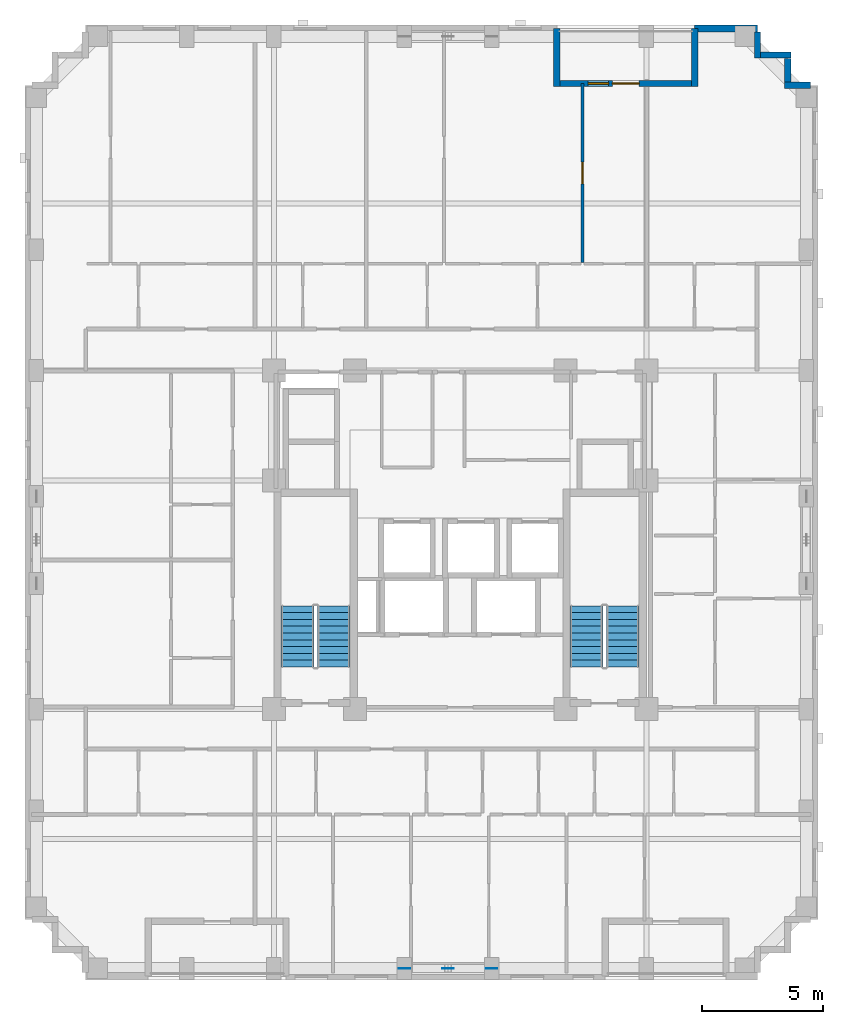
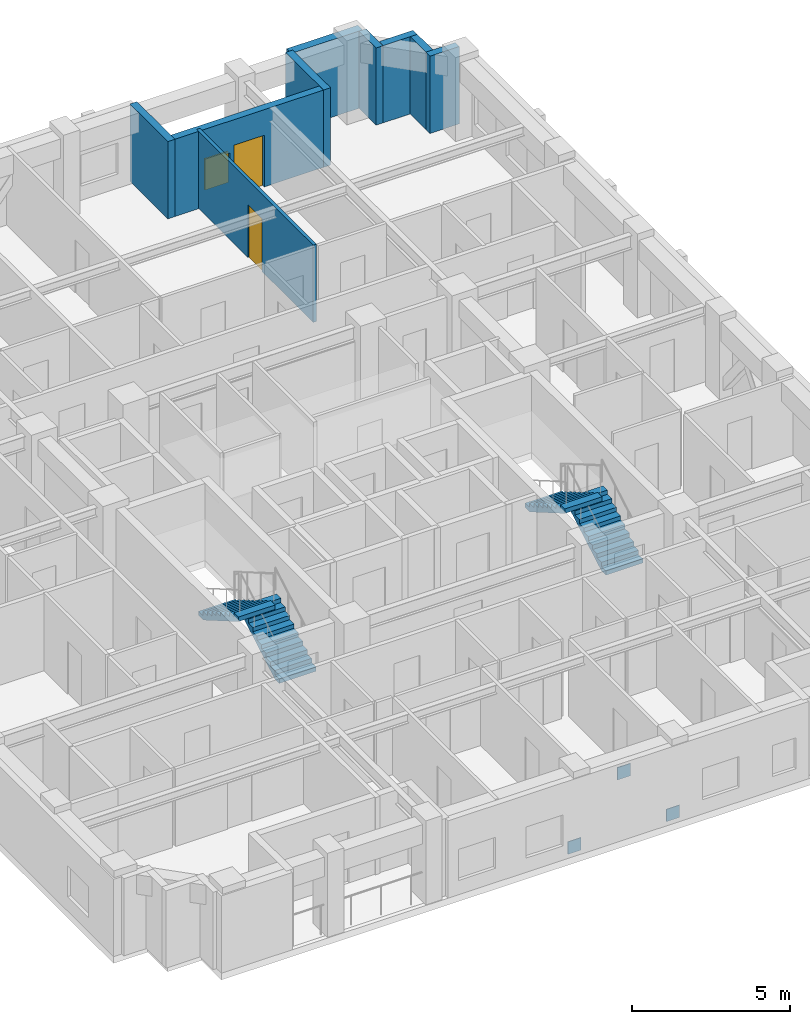
# One storey, part 8 of 11: 9 walls, 4 stair flights, 3 discrete accessories, 2 doors, 1 window, 3 openings, 2 elements without a shape of their own.
"""IFC4 building model written with IfcOpenShell, lengths in metres."""

from ifc_helpers import new_model, si_unit, derived_unit, direction, frame, frame_2d, origin, origin_2d, place, context, subcontext, project, spatial, polyline, rectangle, outline, extrude, material, layer, layer_set, type_object, element, fill, aggregate, save


model = new_model("IFC4")

# Units and contexts
model_context = context("Model", 3, precision=1e-05, world=origin(), true_north=direction((0.0, 1.0)))
body_context = subcontext(model_context, "Body", "Model", "MODEL_VIEW")
ifc_project = project(units=[si_unit("LENGTHUNIT", "METRE"), si_unit("AREAUNIT", "SQUARE_METRE"), si_unit("VOLUMEUNIT", "CUBIC_METRE"), si_unit("PLANEANGLEUNIT", "RADIAN"), si_unit("MASSUNIT", "GRAM", prefix="KILO"), derived_unit("THERMALTRANSMITTANCEUNIT", [(si_unit("MASSUNIT", "GRAM", prefix="KILO"), 1), (si_unit("TIMEUNIT", "SECOND"), -3), (si_unit("THERMODYNAMICTEMPERATUREUNIT", "KELVIN"), -1)])], contexts=[model_context])

# Site, building, storey
site_placement = place(None, origin())
site = spatial("IfcSite", under=ifc_project, at=site_placement, CompositionType="ELEMENT")
building_placement = place(site_placement, origin())
building = spatial("IfcBuilding", under=site, at=building_placement, Name="Korrvale Station Residences", CompositionType="ELEMENT")
storey_placement = place(building_placement, frame((0.0, 0.0, 147.14990234375)))
storey = spatial("IfcBuildingStorey", under=building, at=storey_placement, Name="L42", CompositionType="ELEMENT", Elevation=147.14990234375)

# Wall
ifc_material_1 = material(Name="Precast concrete C45/55", Category="concrete")
ifc_layer_1 = layer(ifc_material_1, 0.260009765625, Name="Precast concrete C45/55")
ifc_layer_set_1 = layer_set([ifc_layer_1], Name="Precast concrete C45/55")
wall_type_1 = type_object("IfcWallType", Name="WAL-EXT-LOG260", PredefinedType="SOLIDWALL", material=ifc_layer_set_1)
wall_1_placement = place(storey_placement, frame((29.5, 43.139892578125, 0.0), z_axis=(0.0, 0.0, 1.0), x_axis=(0.0, -1.0, 0.0)))
element("IfcWall", 1, at=wall_1_placement, inside=storey, type_object=wall_type_1, Name="L42 Recessed Loggia Wall BAL-L42-N1-L", PredefinedType="SOLIDWALL", context=body_context, shape_type="SweptSolid", body=[
    extrude(rectangle(XDim=2.39990234375, YDim=0.260009765625, at=frame_2d((1.199951171875, 0.0))), origin(), (0.0, 0.0, 1.0), 2.989990234375),
])

# Wall, openings, door, window
wall_2_placement = place(storey_placement, frame((29.634033203125, 40.8701171875, 0.0), z_axis=(0.0, 0.0, 1.0), x_axis=(1.0, 0.0, 0.0)))
wall_2 = element("IfcWall", 2, at=wall_2_placement, inside=storey, type_object=wall_type_1, Name="L42 Recessed Loggia Wall BAL-L42-N1-B", PredefinedType="SOLIDWALL", context=body_context, shape_type="SweptSolid", body=[
    extrude(rectangle(XDim=5.431884765625, YDim=0.260009765625, at=frame_2d((2.7158203125, 0.0))), origin(), (0.0, 0.0, 1.0), 2.989990234375),
])
opening_1_placement = place(wall_2_placement, frame((2.166015625, 0.0, 0.0)))
opening_1 = element("IfcOpeningElement", 3, at=opening_1_placement, cuts=wall_2, Name="Opening BD-01", PredefinedType="OPENING", context=body_context, shape_type="SweptSolid", body=[
    extrude(rectangle(XDim=1.10009765625, YDim=2.0, at=frame_2d((0.550048828125, 1.0))), frame((0.0, 0.14013671875, 0.0), z_axis=(0.0, -1.0, 0.0), x_axis=(1.0, 0.0, 0.0)), (0.0, 0.0, 1.0), 0.280029296875),
])
opening_2_placement = place(wall_2_placement, frame((1.156005859375, 0.0, 0.550048828125)))
opening_2 = element("IfcOpeningElement", 4, at=opening_2_placement, cuts=wall_2, Name="Opening W-11", PredefinedType="OPENING", context=body_context, shape_type="SweptSolid", body=[
    extrude(rectangle(XDim=0.85009765625, YDim=1.199951171875, at=frame_2d((0.425048828125, 0.60009765625))), frame((0.0, 0.14013671875, 0.0), z_axis=(0.0, -1.0, 0.0), x_axis=(1.0, 0.0, 0.0)), (0.0, 0.0, 1.0), 0.280029296875),
])
ifc_material_2 = material(Name="Exterior thermally broken aluminium glazed balcony door", Category="aluminium")
door_type_1 = type_object("IfcDoorType", Name="DR-EXT-BAL", OperationType="NOTDEFINED", PredefinedType="DOOR", material=ifc_material_2)
door_1_placement = place(opening_1_placement, origin())
door_1 = element("IfcDoor", 5, at=door_1_placement, inside=storey, type_object=door_type_1, Name="L42 Loggia Balcony Door BAL-L42-N1", OperationType="SINGLE_SWING_LEFT", OverallHeight=2.0, OverallWidth=1.10009765625, PredefinedType="DOOR", context=body_context, shape_type="SweptSolid", body=[
    extrude(rectangle(XDim=1.10009765625, YDim=2.0, at=frame_2d((0.550048828125, 1.0))), frame((0.0, 0.02490234375, 0.0), z_axis=(0.0, -1.0, 0.0), x_axis=(1.0, 0.0, 0.0)), (0.0, 0.0, 1.0), 0.050048828125),
])
fill(opening_1, door_1)
ifc_material_3 = material(Name="Thermally broken aluminium frame with triple low-e glazing", Category="aluminium")
window_type = type_object("IfcWindowType", Name="WIN-W11", PartitioningType="SINGLE_PANEL", PredefinedType="WINDOW", material=ifc_material_3)
window_placement = place(opening_2_placement, origin())
window = element("IfcWindow", 6, at=window_placement, inside=storey, type_object=window_type, Name="L42 Punched Window 13", OverallHeight=1.199951171875, OverallWidth=0.85009765625, PartitioningType="SINGLE_PANEL", PredefinedType="WINDOW", context=body_context, shape_type="SweptSolid", body=[
    extrude(rectangle(XDim=0.85009765625, YDim=1.199951171875, at=frame_2d((0.425048828125, 0.60009765625))), frame((0.0, 0.030029296875, 0.0), z_axis=(0.0, -1.0, 0.0), x_axis=(1.0, 0.0, 0.0)), (0.0, 0.0, 1.0), 0.06005859375),
])
fill(opening_2, window)

# Walls
wall_3_placement = place(storey_placement, frame((35.199951171875, 40.739990234375, 0.0), z_axis=(0.0, 0.0, 1.0), x_axis=(0.0, 1.0, 0.0)))
element("IfcWall", 7, at=wall_3_placement, inside=storey, type_object=wall_type_1, Name="L42 Recessed Loggia Wall BAL-L42-N1-R", PredefinedType="SOLIDWALL", context=body_context, shape_type="SweptSolid", body=[
    extrude(rectangle(XDim=2.39990234375, YDim=0.260009765625, at=frame_2d((1.199951171875, 0.0))), origin(), (0.0, 0.0, 1.0), 2.989990234375),
])
wall_4_placement = place(storey_placement, frame((37.800048828125, 42.998046875, 0.0), z_axis=(0.0, 0.0, 1.0), x_axis=(0.0, -1.0, 0.0)))
element("IfcWall", 8, at=wall_4_placement, inside=storey, type_object=wall_type_1, Name="L42 Serrated Corner Precast Step NE-1", PredefinedType="SOLIDWALL", context=body_context, shape_type="SweptSolid", body=[
    extrude(rectangle(XDim=1.078125, YDim=0.260009765625, at=frame_2d((0.5390625, 0.0))), origin(), (0.0, 0.0, 1.0), 2.989990234375),
])
wall_5_placement = place(storey_placement, frame((37.931884765625, 42.050048828125, 0.0), z_axis=(0.0, 0.0, 1.0), x_axis=(1.0, 0.0, 0.0)))
element("IfcWall", 9, at=wall_5_placement, inside=storey, type_object=wall_type_1, Name="L42 Serrated Corner Precast Step NE-2", PredefinedType="SOLIDWALL", context=body_context, shape_type="SweptSolid", body=[
    extrude(rectangle(XDim=1.248046875, YDim=0.260009765625, at=frame_2d((0.6240234375, 0.0))), origin(), (0.0, 0.0, 1.0), 2.989990234375),
])
wall_6_placement = place(storey_placement, frame((39.050048828125, 41.91796875, 0.0), z_axis=(0.0, 0.0, 1.0), x_axis=(0.0, -1.0, 0.0)))
element("IfcWall", 10, at=wall_6_placement, inside=storey, type_object=wall_type_1, Name="L42 Serrated Corner Precast Step NE-3", PredefinedType="SOLIDWALL", context=body_context, shape_type="SweptSolid", body=[
    extrude(rectangle(XDim=0.986083984375, YDim=0.260009765625, at=frame_2d((0.4931640625, 0.0))), origin(), (0.0, 0.0, 1.0), 2.989990234375),
])
wall_7_placement = place(storey_placement, frame((38.919921875, 40.800048828125, 0.0), z_axis=(0.0, 0.0, 1.0), x_axis=(1.0, 0.0, 0.0)))
element("IfcWall", 11, at=wall_7_placement, inside=storey, type_object=wall_type_1, Name="L42 Serrated Corner Precast Step NE-4", PredefinedType="SOLIDWALL", context=body_context, shape_type="SweptSolid", body=[
    extrude(rectangle(XDim=1.078125, YDim=0.260009765625, at=frame_2d((0.5390625, 0.0))), origin(), (0.0, 0.0, 1.0), 2.989990234375),
])
ifc_layer_2 = layer(ifc_material_1, 0.300048828125, Name="Precast concrete C45/55")
ifc_layer_set_2 = layer_set([ifc_layer_2], Name="Precast concrete C45/55")
wall_type_2 = type_object("IfcWallType", Name="WAL-EXT-PC300", PredefinedType="SOLIDWALL", material=ifc_layer_set_2)
wall_8_placement = place(storey_placement, frame((35.199951171875, 43.14990234375, 0.0), z_axis=(0.0, 0.0, 1.0), x_axis=(1.0, 0.0, 0.0)))
element("IfcWall", 12, at=wall_8_placement, inside=storey, type_object=wall_type_2, Name="L42 North Exterior Precast Wall 2", PredefinedType="SOLIDWALL", context=body_context, shape_type="SweptSolid", body=[
    extrude(rectangle(XDim=2.60009765625, YDim=0.300048828125, at=frame_2d((1.300048828125, 0.0))), origin(), (0.0, 0.0, 1.0), 2.989990234375),
])

# Wall, opening, door
ifc_material_4 = material(Name="Acoustic steel-stud gypsum board partition", Category="steel")
ifc_layer_3 = layer(ifc_material_4, 0.1201171875, Name="Acoustic steel-stud gypsum board partition")
ifc_layer_set_3 = layer_set([ifc_layer_3], Name="Acoustic steel-stud gypsum board partition")
wall_type_3 = type_object("IfcWallType", Name="WAL-PART-125", PredefinedType="PARTITIONING", material=ifc_layer_set_3)
wall_9_placement = place(storey_placement, frame((30.56005859375, 33.47998046875, 0.0), z_axis=(0.0, 0.0, 1.0), x_axis=(0.0, 1.0, 0.0)))
wall_9 = element("IfcWall", 13, at=wall_9_placement, inside=storey, type_object=wall_type_3, Name="L42 Suite Partition U05-V45", PredefinedType="PARTITIONING", context=body_context, shape_type="SweptSolid", body=[
    extrude(rectangle(XDim=7.39013671875, YDim=0.1201171875, at=frame_2d((3.695068359375, 0.0))), origin(), (0.0, 0.0, 1.0), 2.989990234375),
])
opening_3_placement = place(wall_9_placement, frame((3.2451171875, 0.0, 0.0)))
opening_3 = element("IfcOpeningElement", 14, at=opening_3_placement, cuts=wall_9, Name="Opening DI-900", PredefinedType="OPENING", context=body_context, shape_type="SweptSolid", body=[
    extrude(rectangle(XDim=0.89990234375, YDim=2.050048828125, at=frame_2d((0.449951171875, 1.02490234375))), frame((0.0, 0.070068359375, 0.0), z_axis=(0.0, -1.0, 0.0), x_axis=(1.0, 0.0, 0.0)), (0.0, 0.0, 1.0), 0.14013671875),
])
ifc_material_5 = material(Name="Painted solid-core timber interior room door", Category="wood")
door_type_2 = type_object("IfcDoorType", Name="DR-INT-900", OperationType="NOTDEFINED", PredefinedType="DOOR", material=ifc_material_5)
door_2_placement = place(opening_3_placement, origin())
door_2 = element("IfcDoor", 15, at=door_2_placement, inside=storey, type_object=door_type_2, Name="L42 Studio Apartment L42-U05 Studio Living Room Door", OperationType="SINGLE_SWING_LEFT", OverallHeight=2.050048828125, OverallWidth=0.89990234375, PredefinedType="DOOR", context=body_context, shape_type="SweptSolid", body=[
    extrude(rectangle(XDim=0.89990234375, YDim=2.050048828125, at=frame_2d((0.449951171875, 1.02490234375))), frame((0.0, 0.02490234375, 0.0), z_axis=(0.0, -1.0, 0.0), x_axis=(1.0, 0.0, 0.0)), (0.0, 0.0, 1.0), 0.050048828125),
])
fill(opening_3, door_2)

# Stair, stair flights
ifc_material_6 = material(Name="Concrete C50/60", Category="concrete")
stair_type = type_object("IfcStairType", Name="STR-DL-1350-20R-1625", PredefinedType="HALF_TURN_STAIR", material=ifc_material_6)
stair_1_placement = place(storey_placement, origin())
stair_1 = element("IfcStair", 16, at=stair_1_placement, inside=storey, type_object=stair_type, Name="L42 Exit Stair 1", PredefinedType="HALF_TURN_STAIR")
stair_flight_type = type_object("IfcStairFlightType", Name="FLT-DL-1350-20R-1625", PredefinedType="STRAIGHT", material=ifc_material_6)
stair_flight_1_placement = place(storey_placement, frame((20.27490234375, 16.75, 0.0), z_axis=(0.0, 0.0, 1.0), x_axis=(0.0, 1.0, 0.0)))
stair_flight_1 = element("IfcStairFlight", 17, at=stair_flight_1_placement, type_object=stair_flight_type, Name="ST-1 flight 1", NumberOfRisers=10, NumberOfTreads=9, PredefinedType="STRAIGHT", RiserHeight=0.1625, TreadLength=0.28, context=body_context, shape_type="SweptSolid", body=[
    extrude(outline(polyline([(0.0, 0.0), (0.0, 0.16259765625), (0.280029296875, 0.16259765625), (0.280029296875, 0.324951171875), (0.56005859375, 0.324951171875), (0.56005859375, 0.487548828125), (0.840087890625, 0.487548828125), (0.840087890625, 0.64990234375), (1.1201171875, 0.64990234375), (1.1201171875, 0.8125), (1.39990234375, 0.8125), (1.39990234375, 0.97509765625), (1.679931640625, 0.97509765625), (1.679931640625, 1.137451171875), (1.9599609375, 1.137451171875), (1.9599609375, 1.300048828125), (2.239990234375, 1.300048828125), (2.239990234375, 1.46240234375), (2.52001953125, 1.46240234375), (2.52001953125, 1.625), (2.52001953125, 1.2890625), (0.298583984375, 0.0), (0.0, 0.0)])), frame((0.0, 0.675048828125, 0.0), z_axis=(0.0, -1.0, 0.0), x_axis=(1.0, 0.0, 0.0)), (0.0, 0.0, 1.0), 1.35009765625),
])
stair_flight_2_placement = place(storey_placement, frame((18.77490234375, 19.27001953125, 1.625), z_axis=(0.0, 0.0, 1.0), x_axis=(0.0, -1.0, 0.0)))
stair_flight_2 = element("IfcStairFlight", 18, at=stair_flight_2_placement, type_object=stair_flight_type, Name="ST-1 flight 2", NumberOfRisers=10, NumberOfTreads=9, PredefinedType="STRAIGHT", RiserHeight=0.1625, TreadLength=0.28, context=body_context, shape_type="SweptSolid", body=[
    extrude(outline(polyline([(0.0, 0.0), (0.0, 0.16259765625), (0.280029296875, 0.16259765625), (0.280029296875, 0.324951171875), (0.56005859375, 0.324951171875), (0.56005859375, 0.487548828125), (0.840087890625, 0.487548828125), (0.840087890625, 0.64990234375), (1.1201171875, 0.64990234375), (1.1201171875, 0.8125), (1.39990234375, 0.8125), (1.39990234375, 0.97509765625), (1.679931640625, 0.97509765625), (1.679931640625, 1.137451171875), (1.9599609375, 1.137451171875), (1.9599609375, 1.300048828125), (2.239990234375, 1.300048828125), (2.239990234375, 1.46240234375), (2.52001953125, 1.46240234375), (2.52001953125, 1.625), (2.52001953125, 1.2890625), (0.298583984375, 0.0), (0.0, 0.0)])), frame((0.0, 0.675048828125, 0.0), z_axis=(0.0, -1.0, 0.0), x_axis=(1.0, 0.0, 0.0)), (0.0, 0.0, 1.0), 1.35009765625),
])
aggregate(stair_1, [stair_flight_1, stair_flight_2])

stair_2_placement = place(storey_placement, origin())
stair_2 = element("IfcStair", 19, at=stair_2_placement, inside=storey, type_object=stair_type, Name="L42 Exit Stair 2", PredefinedType="HALF_TURN_STAIR")
stair_flight_3_placement = place(storey_placement, frame((32.22509765625, 16.75, 0.0), z_axis=(0.0, 0.0, 1.0), x_axis=(0.0, 1.0, 0.0)))
stair_flight_3 = element("IfcStairFlight", 20, at=stair_flight_3_placement, type_object=stair_flight_type, Name="ST-2 flight 1", NumberOfRisers=10, NumberOfTreads=9, PredefinedType="STRAIGHT", RiserHeight=0.1625, TreadLength=0.28, context=body_context, shape_type="SweptSolid", body=[
    extrude(outline(polyline([(0.0, 0.0), (0.0, 0.16259765625), (0.280029296875, 0.16259765625), (0.280029296875, 0.324951171875), (0.56005859375, 0.324951171875), (0.56005859375, 0.487548828125), (0.840087890625, 0.487548828125), (0.840087890625, 0.64990234375), (1.1201171875, 0.64990234375), (1.1201171875, 0.8125), (1.39990234375, 0.8125), (1.39990234375, 0.97509765625), (1.679931640625, 0.97509765625), (1.679931640625, 1.137451171875), (1.9599609375, 1.137451171875), (1.9599609375, 1.300048828125), (2.239990234375, 1.300048828125), (2.239990234375, 1.46240234375), (2.52001953125, 1.46240234375), (2.52001953125, 1.625), (2.52001953125, 1.2890625), (0.298583984375, 0.0), (0.0, 0.0)])), frame((0.0, 0.675048828125, 0.0), z_axis=(0.0, -1.0, 0.0), x_axis=(1.0, 0.0, 0.0)), (0.0, 0.0, 1.0), 1.35009765625),
])
stair_flight_4_placement = place(storey_placement, frame((30.72509765625, 19.27001953125, 1.625), z_axis=(0.0, 0.0, 1.0), x_axis=(0.0, -1.0, 0.0)))
stair_flight_4 = element("IfcStairFlight", 21, at=stair_flight_4_placement, type_object=stair_flight_type, Name="ST-2 flight 2", NumberOfRisers=10, NumberOfTreads=9, PredefinedType="STRAIGHT", RiserHeight=0.1625, TreadLength=0.28, context=body_context, shape_type="SweptSolid", body=[
    extrude(outline(polyline([(0.0, 0.0), (0.0, 0.16259765625), (0.280029296875, 0.16259765625), (0.280029296875, 0.324951171875), (0.56005859375, 0.324951171875), (0.56005859375, 0.487548828125), (0.840087890625, 0.487548828125), (0.840087890625, 0.64990234375), (1.1201171875, 0.64990234375), (1.1201171875, 0.8125), (1.39990234375, 0.8125), (1.39990234375, 0.97509765625), (1.679931640625, 0.97509765625), (1.679931640625, 1.137451171875), (1.9599609375, 1.137451171875), (1.9599609375, 1.300048828125), (2.239990234375, 1.300048828125), (2.239990234375, 1.46240234375), (2.52001953125, 1.46240234375), (2.52001953125, 1.625), (2.52001953125, 1.2890625), (0.298583984375, 0.0), (0.0, 0.0)])), frame((0.0, 0.675048828125, 0.0), z_axis=(0.0, -1.0, 0.0), x_axis=(1.0, 0.0, 0.0)), (0.0, 0.0, 1.0), 1.35009765625),
])
aggregate(stair_2, [stair_flight_3, stair_flight_4])

# Discrete accessories
ifc_material_7 = material(Name="Steel S355", Category="steel")
ifc_layer_4 = layer(ifc_material_7, 0.02490234375, Name="Steel S355")
ifc_layer_set_4 = layer_set([ifc_layer_4], Name="Steel S355")
discrete_accessory_type = type_object("IfcDiscreteAccessoryType", Name="ACC-GUSSET-25", PredefinedType="BRACKET", material=ifc_layer_set_4)
for number, where, z_axis, x_axis, name in (
    (22, (23.199951171875, 4.280029296875, -0.219970703125), (0.0, 0.0, 1.0), (1.0, 0.0, 0.0), "L42 S Brace End Gusset Connection A"),
    (23, (26.800048828125, 4.280029296875, -0.219970703125), (0.0, 0.0, 1.0), (1.0, 0.0, 0.0), "L42 S Brace End Gusset Connection B"),
    (24, (25.0, 4.280029296875, 2.02001953125), (0.0, 0.0, 1.0), (1.0, 0.0, 0.0), "L42 S Brace End Gusset Connection M"),
):
    element("IfcDiscreteAccessory", number, at=place(storey_placement, frame(where, z_axis=z_axis, x_axis=x_axis)), inside=storey, type_object=discrete_accessory_type, Name=name, PredefinedType="BRACKET", context=body_context, shape_type="SweptSolid", body=[
        extrude(rectangle(XDim=0.47998046875, YDim=0.02490234375, at=origin_2d()), origin(), (0.0, 0.0, 1.0), 0.47998046875),
    ])

save(model, "model.ifc")
